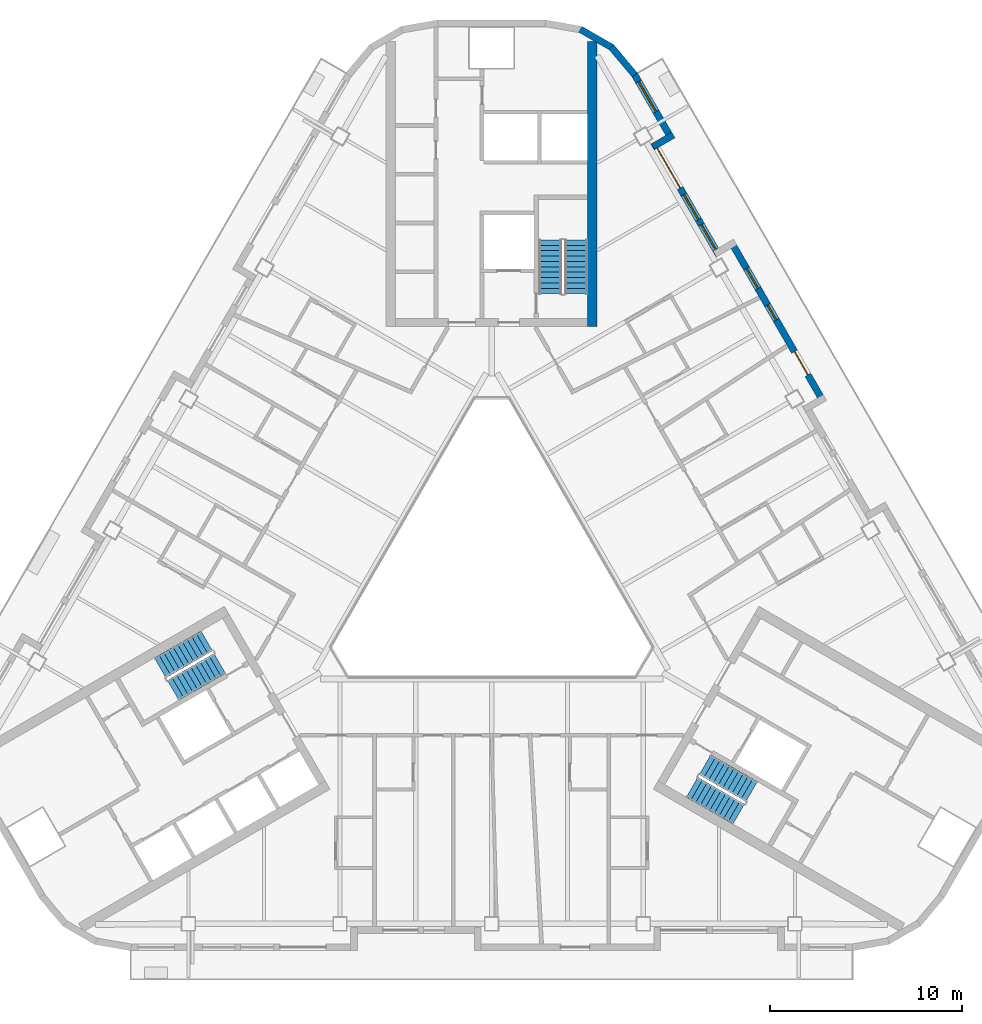
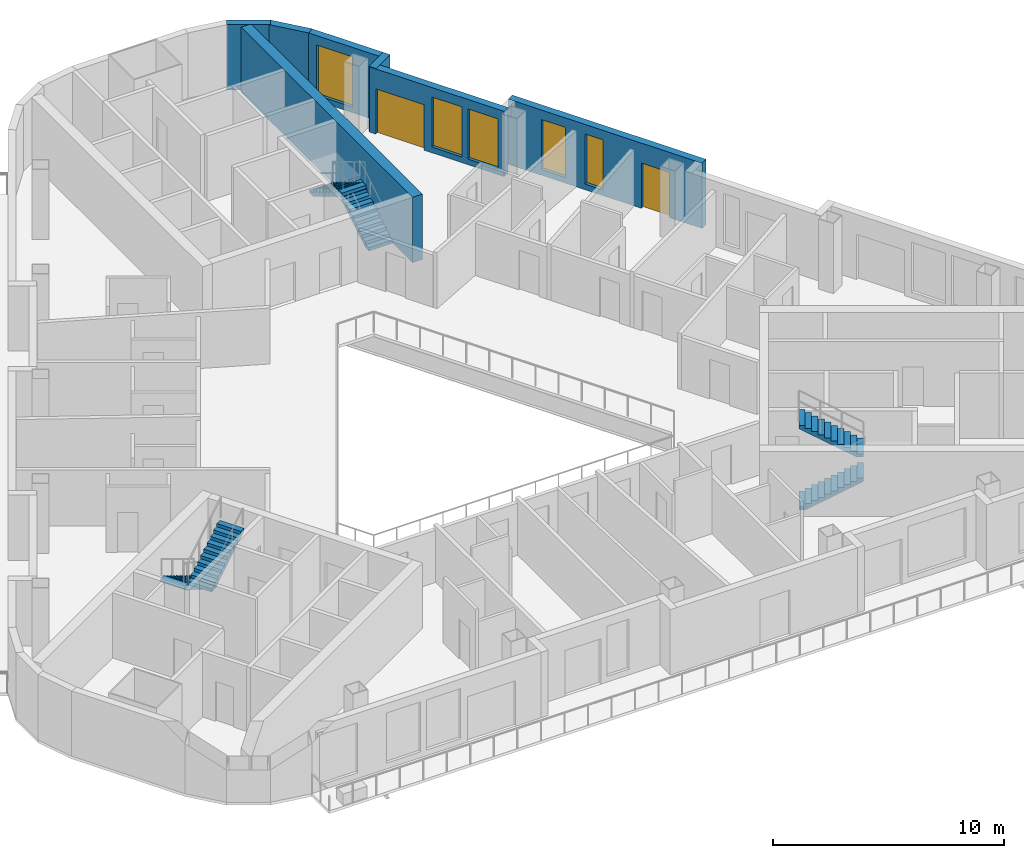
# One storey, part 8 of 14: 7 walls, 6 stair flights, 5 windows, 2 doors, 7 openings, 3 elements without a shape of their own.
"""IFC4 building model written with IfcOpenShell, lengths in metres."""

from ifc_helpers import new_model, si_unit, direction, frame, frame_2d, origin, place, context, subcontext, project, spatial, polyline, rectangle, outline, extrude, material, layer, layer_set, type_object, element, fill, aggregate, save


model = new_model("IFC4")

# Units and contexts
model_context = context("Model", 3, precision=1e-05, world=origin(), true_north=direction((0.0, 1.0)))
body_context = subcontext(model_context, "Body", "Model", "MODEL_VIEW")
ifc_project = project(units=[si_unit("LENGTHUNIT", "METRE"), si_unit("AREAUNIT", "SQUARE_METRE"), si_unit("VOLUMEUNIT", "CUBIC_METRE"), si_unit("PLANEANGLEUNIT", "RADIAN"), si_unit("MASSUNIT", "GRAM", prefix="KILO")], contexts=[model_context])

# Site, building, storey
site_placement = place(None, origin())
site = spatial("IfcSite", under=ifc_project, at=site_placement, CompositionType="ELEMENT")
building_placement = place(site_placement, origin())
building = spatial("IfcBuilding", under=site, at=building_placement, Name="Apuvela Tower Hotel", CompositionType="ELEMENT")
storey_placement = place(building_placement, frame((0.0, 0.0, 228.0)))
storey = spatial("IfcBuildingStorey", under=building, at=storey_placement, Name="L56", CompositionType="ELEMENT", Elevation=228.0)

# Wall
ifc_material_1 = material(Name="Concrete C50/60", Category="concrete")
ifc_layer_1 = layer(ifc_material_1, 0.5)
ifc_layer_set_1 = layer_set([ifc_layer_1], Name="COR-WALL-CORE-500")
wall_type_1 = type_object("IfcWallType", Name="COR-WALL-CORE-500", PredefinedType="SHEAR", material=ifc_layer_set_1)
wall_1_placement = place(storey_placement, frame((5.25, 12.89990234375, 0.0), z_axis=(0.0, 0.0, 1.0), x_axis=(0.0, 1.0, 0.0)))
element("IfcWall", 1, at=wall_1_placement, inside=storey, type_object=wall_type_1, Name="Core wall N", PredefinedType="SHEAR", context=body_context, shape_type="SweptSolid", body=[
    extrude(rectangle(XDim=14.8369140625, YDim=0.5, at=frame_2d((7.41845703125, 0.0))), origin(), (0.0, 0.0, 1.0), 3.449951171875),
])

# Wall, openings, door, windows
ifc_material_2 = material(Name="Concrete C40/50, dark pigmented precast panel", Category="concrete")
ifc_layer_2 = layer(ifc_material_2, 0.35009765625)
ifc_layer_set_2 = layer_set([ifc_layer_2], Name="ENV-WALL-350")
wall_type_2 = type_object("IfcWallType", Name="ENV-WALL-350", PredefinedType="SOLIDWALL", material=ifc_layer_set_2)
wall_2_placement = place(storey_placement, frame((17.298583984375, 8.947998046875, 0.0), z_axis=(0.0, 0.0, 1.0), x_axis=(-0.500010041276, 0.866019606374, 0.0)))
wall_2 = element("IfcWall", 2, at=wall_2_placement, inside=storey, type_object=wall_type_2, Name="External wall L56-37", PredefinedType="SOLIDWALL", context=body_context, shape_type="SweptSolid", body=[
    extrude(rectangle(XDim=9.699951171875, YDim=0.35009765625, at=frame_2d((4.85009765625, 0.0))), origin(), (0.0, 0.0, 1.0), 3.449951171875),
])
opening_1_placement = place(wall_2_placement, frame((1.63720703125, 0.0, 0.0)))
opening_1 = element("IfcOpeningElement", 3, at=opening_1_placement, cuts=wall_2, Name="Opening BD14", PredefinedType="OPENING", context=body_context, shape_type="SweptSolid", body=[
    extrude(rectangle(XDim=1.39990234375, YDim=2.39990234375, at=frame_2d((0.699951171875, 1.199951171875))), frame((0.0, 0.18505859375, 0.0), z_axis=(0.0, -1.0, 0.0), x_axis=(1.0, 0.0, 0.0)), (0.0, 0.0, 1.0), 0.3701171875),
])
opening_2_placement = place(wall_2_placement, frame((4.94921875, 0.0, 0.300048828125)))
opening_2 = element("IfcOpeningElement", 4, at=opening_2_placement, cuts=wall_2, Name="Opening WN09", PredefinedType="OPENING", context=body_context, shape_type="SweptSolid", body=[
    extrude(rectangle(XDim=0.89990234375, YDim=2.64990234375, at=frame_2d((0.449951171875, 1.324951171875))), frame((0.0, 0.18505859375, 0.0), z_axis=(0.0, -1.0, 0.0), x_axis=(1.0, 0.0, 0.0)), (0.0, 0.0, 1.0), 0.3701171875),
])
opening_3_placement = place(wall_2_placement, frame((6.840087890625, 0.0, 0.300048828125)))
opening_3 = element("IfcOpeningElement", 5, at=opening_3_placement, cuts=wall_2, Name="Opening WN12", PredefinedType="OPENING", context=body_context, shape_type="SweptSolid", body=[
    extrude(rectangle(XDim=1.199951171875, YDim=2.64990234375, at=frame_2d((0.60009765625, 1.324951171875))), frame((0.0, 0.18505859375, 0.0), z_axis=(0.0, -1.0, 0.0), x_axis=(1.0, 0.0, 0.0)), (0.0, 0.0, 1.0), 0.3701171875),
])
ifc_material_3 = material(Name="Aluminium 6063-T6, dark bronze anodised frame with dark tinted laminated glass", Category="aluminium")
door_type_1 = type_object("IfcDoorType", Name="ENV-DOOR-BALCONY-1400x2400", OperationType="SLIDING_TO_LEFT", PredefinedType="DOOR", material=ifc_material_3)
door_1_placement = place(opening_1_placement, frame((1.39990234375, 0.0, 0.0), z_axis=(0.0, 0.0, 1.0), x_axis=(-1.0, 0.0, 0.0)))
door_1 = element("IfcDoor", 6, at=door_1_placement, inside=storey, type_object=door_type_1, Name="Balcony door BD14", OperationType="SLIDING_TO_LEFT", OverallHeight=2.39990234375, OverallWidth=1.39990234375, PredefinedType="DOOR", context=body_context, shape_type="SweptSolid", body=[
    extrude(rectangle(XDim=1.39990234375, YDim=2.39990234375, at=frame_2d((0.699951171875, 1.199951171875))), frame((0.0, 0.02490234375, 0.0), z_axis=(0.0, -1.0, 0.0), x_axis=(1.0, 0.0, 0.0)), (0.0, 0.0, 1.0), 0.050048828125),
])
fill(opening_1, door_1)
ifc_material_4 = material(Name="Glass, dark tinted laminated insulated glazing unit", Category="glass")
window_type_1 = type_object("IfcWindowType", Name="ENV-WIN-1200x2650", PartitioningType="SINGLE_PANEL", PredefinedType="WINDOW", material=ifc_material_4)
window_1_placement = place(opening_3_placement, origin())
window_1 = element("IfcWindow", 7, at=window_1_placement, inside=storey, type_object=window_type_1, Name="Window WN12", OverallHeight=2.64990234375, OverallWidth=1.199951171875, PartitioningType="SINGLE_PANEL", PredefinedType="WINDOW", context=body_context, shape_type="SweptSolid", body=[
    extrude(rectangle(XDim=1.199951171875, YDim=2.64990234375, at=frame_2d((0.60009765625, 1.324951171875))), frame((0.0, 0.030029296875, 0.0), z_axis=(0.0, -1.0, 0.0), x_axis=(1.0, 0.0, 0.0)), (0.0, 0.0, 1.0), 0.06005859375),
])
fill(opening_3, window_1)
window_type_2 = type_object("IfcWindowType", Name="ENV-WIN-900x2650", PartitioningType="SINGLE_PANEL", PredefinedType="WINDOW", material=ifc_material_4)
window_2_placement = place(opening_2_placement, origin())
window_2 = element("IfcWindow", 8, at=window_2_placement, inside=storey, type_object=window_type_2, Name="Window WN09", OverallHeight=2.64990234375, OverallWidth=0.89990234375, PartitioningType="SINGLE_PANEL", PredefinedType="WINDOW", context=body_context, shape_type="SweptSolid", body=[
    extrude(rectangle(XDim=0.89990234375, YDim=2.64990234375, at=frame_2d((0.449951171875, 1.324951171875))), frame((0.0, 0.030029296875, 0.0), z_axis=(0.0, -1.0, 0.0), x_axis=(1.0, 0.0, 0.0)), (0.0, 0.0, 1.0), 0.06005859375),
])
fill(opening_2, window_2)

wall_3_placement = place(storey_placement, frame((11.8291015625, 16.621337890625, 0.0), z_axis=(0.0, 0.0, 1.0), x_axis=(-0.500003597184, 0.866023326939, 0.0)))
wall_3 = element("IfcWall", 9, at=wall_3_placement, inside=storey, type_object=wall_type_2, Name="External wall L56-39", PredefinedType="SOLIDWALL", context=body_context, shape_type="SweptSolid", body=[
    extrude(rectangle(XDim=6.740234375, YDim=0.35009765625, at=frame_2d((3.3701171875, 0.0))), origin(), (0.0, 0.0, 1.0), 3.449951171875),
])
opening_4_placement = place(wall_3_placement, frame((4.01953125, 0.0, 0.0)))
opening_4 = element("IfcOpeningElement", 10, at=opening_4_placement, cuts=wall_3, Name="Opening BD24", PredefinedType="OPENING", context=body_context, shape_type="SweptSolid", body=[
    extrude(rectangle(XDim=2.39990234375, YDim=2.39990234375, at=frame_2d((1.199951171875, 1.199951171875))), frame((0.0, 0.18505859375, 0.0), z_axis=(0.0, -1.0, 0.0), x_axis=(1.0, 0.0, 0.0)), (0.0, 0.0, 1.0), 0.3701171875),
])
opening_5_placement = place(wall_3_placement, frame((0.320068359375, 0.0, 0.300048828125)))
opening_5 = element("IfcOpeningElement", 11, at=opening_5_placement, cuts=wall_3, Name="Opening WN15", PredefinedType="OPENING", context=body_context, shape_type="SweptSolid", body=[
    extrude(rectangle(XDim=1.5, YDim=2.64990234375, at=frame_2d((0.75, 1.324951171875))), frame((0.0, 0.18505859375, 0.0), z_axis=(0.0, -1.0, 0.0), x_axis=(1.0, 0.0, 0.0)), (0.0, 0.0, 1.0), 0.3701171875),
])
opening_6_placement = place(wall_3_placement, frame((2.1201171875, 0.0, 0.300048828125)))
opening_6 = element("IfcOpeningElement", 12, at=opening_6_placement, cuts=wall_3, Name="Opening WN15", PredefinedType="OPENING", context=body_context, shape_type="SweptSolid", body=[
    extrude(rectangle(XDim=1.5, YDim=2.64990234375, at=frame_2d((0.75, 1.324951171875))), frame((0.0, 0.18505859375, 0.0), z_axis=(0.0, -1.0, 0.0), x_axis=(1.0, 0.0, 0.0)), (0.0, 0.0, 1.0), 0.3701171875),
])
door_type_2 = type_object("IfcDoorType", Name="ENV-DOOR-BALCONY-2400x2400", OperationType="SLIDING_TO_LEFT", PredefinedType="DOOR", material=ifc_material_3)
door_2_placement = place(opening_4_placement, frame((2.39990234375, 0.0, 0.0), z_axis=(0.0, 0.0, 1.0), x_axis=(-1.0, 0.0, 0.0)))
door_2 = element("IfcDoor", 13, at=door_2_placement, inside=storey, type_object=door_type_2, Name="Balcony door BD24", OperationType="SLIDING_TO_LEFT", OverallHeight=2.39990234375, OverallWidth=2.39990234375, PredefinedType="DOOR", context=body_context, shape_type="SweptSolid", body=[
    extrude(rectangle(XDim=2.39990234375, YDim=2.39990234375, at=frame_2d((1.199951171875, 1.199951171875))), frame((0.0, 0.02490234375, 0.0), z_axis=(0.0, -1.0, 0.0), x_axis=(1.0, 0.0, 0.0)), (0.0, 0.0, 1.0), 0.050048828125),
])
fill(opening_4, door_2)
window_type_3 = type_object("IfcWindowType", Name="ENV-WIN-1500x2650", PartitioningType="SINGLE_PANEL", PredefinedType="WINDOW", material=ifc_material_4)
window_3_placement = place(opening_5_placement, origin())
window_3 = element("IfcWindow", 14, at=window_3_placement, inside=storey, type_object=window_type_3, Name="Window WN15", OverallHeight=2.64990234375, OverallWidth=1.5, PartitioningType="SINGLE_PANEL", PredefinedType="WINDOW", context=body_context, shape_type="SweptSolid", body=[
    extrude(rectangle(XDim=1.5, YDim=2.64990234375, at=frame_2d((0.75, 1.324951171875))), frame((0.0, 0.030029296875, 0.0), z_axis=(0.0, -1.0, 0.0), x_axis=(1.0, 0.0, 0.0)), (0.0, 0.0, 1.0), 0.06005859375),
])
fill(opening_5, window_3)
window_4_placement = place(opening_6_placement, origin())
window_4 = element("IfcWindow", 15, at=window_4_placement, inside=storey, type_object=window_type_3, Name="Window WN15", OverallHeight=2.64990234375, OverallWidth=1.5, PartitioningType="SINGLE_PANEL", PredefinedType="WINDOW", context=body_context, shape_type="SweptSolid", body=[
    extrude(rectangle(XDim=1.5, YDim=2.64990234375, at=frame_2d((0.75, 1.324951171875))), frame((0.0, 0.030029296875, 0.0), z_axis=(0.0, -1.0, 0.0), x_axis=(1.0, 0.0, 0.0)), (0.0, 0.0, 1.0), 0.06005859375),
])
fill(opening_6, window_4)

# Wall
wall_4_placement = place(storey_placement, frame((8.406005859375, 22.26025390625, 0.0), z_axis=(0.0, 0.0, 1.0), x_axis=(0.865955602162, 0.500120880472, 0.0)))
element("IfcWall", 16, at=wall_4_placement, inside=storey, type_object=wall_type_2, Name="External wall L56-40", PredefinedType="SOLIDWALL", context=body_context, shape_type="SweptSolid", body=[
    extrude(rectangle(XDim=1.219970703125, YDim=0.35009765625, at=frame_2d((0.60986328125, 0.0))), origin(), (0.0, 0.0, 1.0), 3.449951171875),
])

# Wall, opening, window
wall_5_placement = place(storey_placement, frame((9.3984375, 22.631103515625, 0.0), z_axis=(0.0, 0.0, 1.0), x_axis=(-0.499954521343, 0.866051659307, 0.0)))
wall_5 = element("IfcWall", 17, at=wall_5_placement, inside=storey, type_object=wall_type_2, Name="External wall L56-41", PredefinedType="SOLIDWALL", context=body_context, shape_type="SweptSolid", body=[
    extrude(rectangle(XDim=3.915771484375, YDim=0.35009765625, at=frame_2d((1.9580078125, 0.0))), origin(), (0.0, 0.0, 1.0), 3.449951171875),
])
opening_7_placement = place(wall_5_placement, frame((1.67626953125, 0.0, 0.300048828125)))
opening_7 = element("IfcOpeningElement", 18, at=opening_7_placement, cuts=wall_5, Name="Opening WN18", PredefinedType="OPENING", context=body_context, shape_type="SweptSolid", body=[
    extrude(rectangle(XDim=1.800048828125, YDim=2.64990234375, at=frame_2d((0.89990234375, 1.324951171875))), frame((0.0, 0.18505859375, 0.0), z_axis=(0.0, -1.0, 0.0), x_axis=(1.0, 0.0, 0.0)), (0.0, 0.0, 1.0), 0.3701171875),
])
window_type_4 = type_object("IfcWindowType", Name="ENV-WIN-1800x2650", PartitioningType="SINGLE_PANEL", PredefinedType="WINDOW", material=ifc_material_4)
window_5_placement = place(opening_7_placement, origin())
window_5 = element("IfcWindow", 19, at=window_5_placement, inside=storey, type_object=window_type_4, Name="Window WN18", OverallHeight=2.64990234375, OverallWidth=1.800048828125, PartitioningType="SINGLE_PANEL", PredefinedType="WINDOW", context=body_context, shape_type="SweptSolid", body=[
    extrude(rectangle(XDim=1.800048828125, YDim=2.64990234375, at=frame_2d((0.89990234375, 1.324951171875))), frame((0.0, 0.030029296875, 0.0), z_axis=(0.0, -1.0, 0.0), x_axis=(1.0, 0.0, 0.0)), (0.0, 0.0, 1.0), 0.06005859375),
])
fill(opening_7, window_5)

# Walls
wall_6_placement = place(storey_placement, frame((7.4580078125, 25.99755859375, 0.0), z_axis=(0.0, 0.0, 1.0), x_axis=(-0.642808304945, 0.766027077259, 0.0)))
element("IfcWall", 20, at=wall_6_placement, inside=storey, type_object=wall_type_2, Name="External wall L56-42", PredefinedType="SOLIDWALL", context=body_context, shape_type="SweptSolid", body=[
    extrude(rectangle(XDim=1.909912109375, YDim=0.35009765625, at=frame_2d((0.955078125, 0.0))), origin(), (0.0, 0.0, 1.0), 3.449951171875),
])
wall_7_placement = place(storey_placement, frame((6.27685546875, 27.421630859375, 0.0), z_axis=(0.0, 0.0, 1.0), x_axis=(-0.866032345022, 0.499987977232, 0.0)))
element("IfcWall", 21, at=wall_7_placement, inside=storey, type_object=wall_type_2, Name="External wall L56-43", PredefinedType="SOLIDWALL", context=body_context, shape_type="SweptSolid", body=[
    extrude(rectangle(XDim=1.91015625, YDim=0.35009765625, at=frame_2d((0.955078125, 0.0))), origin(), (0.0, 0.0, 1.0), 3.449951171875),
])

# Stair, stair flights
stair_type = type_object("IfcStairType", Name="COR-STAIR-22R", PredefinedType="HALF_TURN_STAIR", material=ifc_material_1)
stair_1_placement = place(storey_placement, origin())
stair_1 = element("IfcStair", 22, at=stair_1_placement, inside=storey, type_object=stair_type, Name="L56 Exit stair ST1", PredefinedType="HALF_TURN_STAIR")
stair_flight_type = type_object("IfcStairFlightType", Name="COR-FLIGHT-11R", PredefinedType="STRAIGHT", material=ifc_material_1)
stair_flight_1_placement = place(storey_placement, frame((4.39990234375, 14.60009765625, 0.0), z_axis=(0.0, 0.0, 1.0), x_axis=(0.0, 1.0, 0.0)))
stair_flight_1 = element("IfcStairFlight", 23, at=stair_flight_1_placement, type_object=stair_flight_type, Name="ST1 flight 1", NumberOfRisers=11, NumberOfTreads=10, PredefinedType="STRAIGHT", RiserHeight=0.168181818, TreadLength=0.28, context=body_context, shape_type="SweptSolid", body=[
    extrude(outline(polyline([(0.0, 0.0), (0.0, 0.168212890625), (0.280029296875, 0.168212890625), (0.280029296875, 0.33642578125), (0.56005859375, 0.33642578125), (0.56005859375, 0.504638671875), (0.840087890625, 0.504638671875), (0.840087890625, 0.672607421875), (1.1201171875, 0.672607421875), (1.1201171875, 0.8408203125), (1.39990234375, 0.8408203125), (1.39990234375, 1.009033203125), (1.679931640625, 1.009033203125), (1.679931640625, 1.17724609375), (1.9599609375, 1.17724609375), (1.9599609375, 1.345458984375), (2.239990234375, 1.345458984375), (2.239990234375, 1.513671875), (2.52001953125, 1.513671875), (2.52001953125, 1.681884765625), (2.800048828125, 1.681884765625), (2.800048828125, 1.85009765625), (2.800048828125, 1.5068359375), (0.291015625, 0.0), (0.0, 0.0)])), frame((0.0, 0.60009765625, 0.0), z_axis=(0.0, -1.0, 0.0), x_axis=(1.0, 0.0, 0.0)), (0.0, 0.0, 1.0), 1.199951171875),
])
stair_flight_2_placement = place(storey_placement, frame((3.050048828125, 17.39990234375, 1.85009765625), z_axis=(0.0, 0.0, 1.0), x_axis=(0.0, -1.0, 0.0)))
stair_flight_2 = element("IfcStairFlight", 24, at=stair_flight_2_placement, type_object=stair_flight_type, Name="ST1 flight 2", NumberOfRisers=11, NumberOfTreads=10, PredefinedType="STRAIGHT", RiserHeight=0.168181818, TreadLength=0.28, context=body_context, shape_type="SweptSolid", body=[
    extrude(outline(polyline([(0.0, 0.0), (0.0, 0.168212890625), (0.280029296875, 0.168212890625), (0.280029296875, 0.33642578125), (0.56005859375, 0.33642578125), (0.56005859375, 0.504638671875), (0.840087890625, 0.504638671875), (0.840087890625, 0.672607421875), (1.1201171875, 0.672607421875), (1.1201171875, 0.8408203125), (1.39990234375, 0.8408203125), (1.39990234375, 1.009033203125), (1.679931640625, 1.009033203125), (1.679931640625, 1.17724609375), (1.9599609375, 1.17724609375), (1.9599609375, 1.345458984375), (2.239990234375, 1.345458984375), (2.239990234375, 1.513671875), (2.52001953125, 1.513671875), (2.52001953125, 1.681884765625), (2.800048828125, 1.681884765625), (2.800048828125, 1.85009765625), (2.800048828125, 1.5068359375), (0.291015625, 0.0), (0.0, 0.0)])), frame((0.0, 0.60009765625, 0.0), z_axis=(0.0, -1.0, 0.0), x_axis=(1.0, 0.0, 0.0)), (0.0, 0.0, 1.0), 1.199951171875),
])
aggregate(stair_1, [stair_flight_1, stair_flight_2])

stair_2_placement = place(storey_placement, origin())
stair_2 = element("IfcStair", 25, at=stair_2_placement, inside=storey, type_object=stair_type, Name="L56 Exit stair ST2", PredefinedType="HALF_TURN_STAIR")
stair_flight_3_placement = place(storey_placement, frame((-14.843994140625, -3.489501953125, 0.0), z_axis=(0.0, 0.0, 1.0), x_axis=(-0.866025403784, -0.5, 0.0)))
stair_flight_3 = element("IfcStairFlight", 26, at=stair_flight_3_placement, type_object=stair_flight_type, Name="ST2 flight 1", NumberOfRisers=11, NumberOfTreads=10, PredefinedType="STRAIGHT", RiserHeight=0.168181818, TreadLength=0.28, context=body_context, shape_type="SweptSolid", body=[
    extrude(outline(polyline([(0.0, 0.0), (0.0, 0.168212890625), (0.280029296875, 0.168212890625), (0.280029296875, 0.33642578125), (0.56005859375, 0.33642578125), (0.56005859375, 0.504638671875), (0.840087890625, 0.504638671875), (0.840087890625, 0.672607421875), (1.1201171875, 0.672607421875), (1.1201171875, 0.8408203125), (1.39990234375, 0.8408203125), (1.39990234375, 1.009033203125), (1.679931640625, 1.009033203125), (1.679931640625, 1.17724609375), (1.9599609375, 1.17724609375), (1.9599609375, 1.345458984375), (2.239990234375, 1.345458984375), (2.239990234375, 1.513671875), (2.52001953125, 1.513671875), (2.52001953125, 1.681884765625), (2.800048828125, 1.681884765625), (2.800048828125, 1.85009765625), (2.800048828125, 1.5068359375), (0.291015625, 0.0), (0.0, 0.0)])), frame((0.0, 0.60009765625, 0.0), z_axis=(0.0, -1.0, 0.0), x_axis=(1.0, 0.0, 0.0)), (0.0, 0.0, 1.0), 1.199951171875),
])
stair_flight_4_placement = place(storey_placement, frame((-16.59375, -6.05859375, 1.85009765625), z_axis=(0.0, 0.0, 1.0), x_axis=(0.866025403784, 0.5, 0.0)))
stair_flight_4 = element("IfcStairFlight", 27, at=stair_flight_4_placement, type_object=stair_flight_type, Name="ST2 flight 2", NumberOfRisers=11, NumberOfTreads=10, PredefinedType="STRAIGHT", RiserHeight=0.168181818, TreadLength=0.28, context=body_context, shape_type="SweptSolid", body=[
    extrude(outline(polyline([(0.0, 0.0), (0.0, 0.168212890625), (0.280029296875, 0.168212890625), (0.280029296875, 0.33642578125), (0.56005859375, 0.33642578125), (0.56005859375, 0.504638671875), (0.840087890625, 0.504638671875), (0.840087890625, 0.672607421875), (1.1201171875, 0.672607421875), (1.1201171875, 0.8408203125), (1.39990234375, 0.8408203125), (1.39990234375, 1.009033203125), (1.679931640625, 1.009033203125), (1.679931640625, 1.17724609375), (1.9599609375, 1.17724609375), (1.9599609375, 1.345458984375), (2.239990234375, 1.345458984375), (2.239990234375, 1.513671875), (2.52001953125, 1.513671875), (2.52001953125, 1.681884765625), (2.800048828125, 1.681884765625), (2.800048828125, 1.85009765625), (2.800048828125, 1.5068359375), (0.291015625, 0.0), (0.0, 0.0)])), frame((0.0, 0.60009765625, 0.0), z_axis=(0.0, -1.0, 0.0), x_axis=(1.0, 0.0, 0.0)), (0.0, 0.0, 1.0), 1.199951171875),
])
aggregate(stair_2, [stair_flight_3, stair_flight_4])

stair_3_placement = place(storey_placement, origin())
stair_3 = element("IfcStair", 28, at=stair_3_placement, inside=storey, type_object=stair_type, Name="L56 Exit stair ST3", PredefinedType="HALF_TURN_STAIR")
stair_flight_5_placement = place(storey_placement, frame((10.444091796875, -11.110595703125, 0.0), z_axis=(0.0, 0.0, 1.0), x_axis=(0.866025403784, -0.5, 0.0)))
stair_flight_5 = element("IfcStairFlight", 29, at=stair_flight_5_placement, type_object=stair_flight_type, Name="ST3 flight 1", NumberOfRisers=11, NumberOfTreads=10, PredefinedType="STRAIGHT", RiserHeight=0.168181818, TreadLength=0.28, context=body_context, shape_type="SweptSolid", body=[
    extrude(outline(polyline([(0.0, 0.0), (0.0, 0.168212890625), (0.280029296875, 0.168212890625), (0.280029296875, 0.33642578125), (0.56005859375, 0.33642578125), (0.56005859375, 0.504638671875), (0.840087890625, 0.504638671875), (0.840087890625, 0.672607421875), (1.1201171875, 0.672607421875), (1.1201171875, 0.8408203125), (1.39990234375, 0.8408203125), (1.39990234375, 1.009033203125), (1.679931640625, 1.009033203125), (1.679931640625, 1.17724609375), (1.9599609375, 1.17724609375), (1.9599609375, 1.345458984375), (2.239990234375, 1.345458984375), (2.239990234375, 1.513671875), (2.52001953125, 1.513671875), (2.52001953125, 1.681884765625), (2.800048828125, 1.681884765625), (2.800048828125, 1.85009765625), (2.800048828125, 1.5068359375), (0.291015625, 0.0), (0.0, 0.0)])), frame((0.0, 0.60009765625, 0.0), z_axis=(0.0, -1.0, 0.0), x_axis=(1.0, 0.0, 0.0)), (0.0, 0.0, 1.0), 1.199951171875),
])
stair_flight_6_placement = place(storey_placement, frame((13.5439453125, -11.34130859375, 1.85009765625), z_axis=(0.0, 0.0, 1.0), x_axis=(-0.866025403784, 0.5, 0.0)))
stair_flight_6 = element("IfcStairFlight", 30, at=stair_flight_6_placement, type_object=stair_flight_type, Name="ST3 flight 2", NumberOfRisers=11, NumberOfTreads=10, PredefinedType="STRAIGHT", RiserHeight=0.168181818, TreadLength=0.28, context=body_context, shape_type="SweptSolid", body=[
    extrude(outline(polyline([(0.0, 0.0), (0.0, 0.168212890625), (0.280029296875, 0.168212890625), (0.280029296875, 0.33642578125), (0.56005859375, 0.33642578125), (0.56005859375, 0.504638671875), (0.840087890625, 0.504638671875), (0.840087890625, 0.672607421875), (1.1201171875, 0.672607421875), (1.1201171875, 0.8408203125), (1.39990234375, 0.8408203125), (1.39990234375, 1.009033203125), (1.679931640625, 1.009033203125), (1.679931640625, 1.17724609375), (1.9599609375, 1.17724609375), (1.9599609375, 1.345458984375), (2.239990234375, 1.345458984375), (2.239990234375, 1.513671875), (2.52001953125, 1.513671875), (2.52001953125, 1.681884765625), (2.800048828125, 1.681884765625), (2.800048828125, 1.85009765625), (2.800048828125, 1.5068359375), (0.291015625, 0.0), (0.0, 0.0)])), frame((0.0, 0.60009765625, 0.0), z_axis=(0.0, -1.0, 0.0), x_axis=(1.0, 0.0, 0.0)), (0.0, 0.0, 1.0), 1.199951171875),
])
aggregate(stair_3, [stair_flight_5, stair_flight_6])

save(model, "model.ifc")
